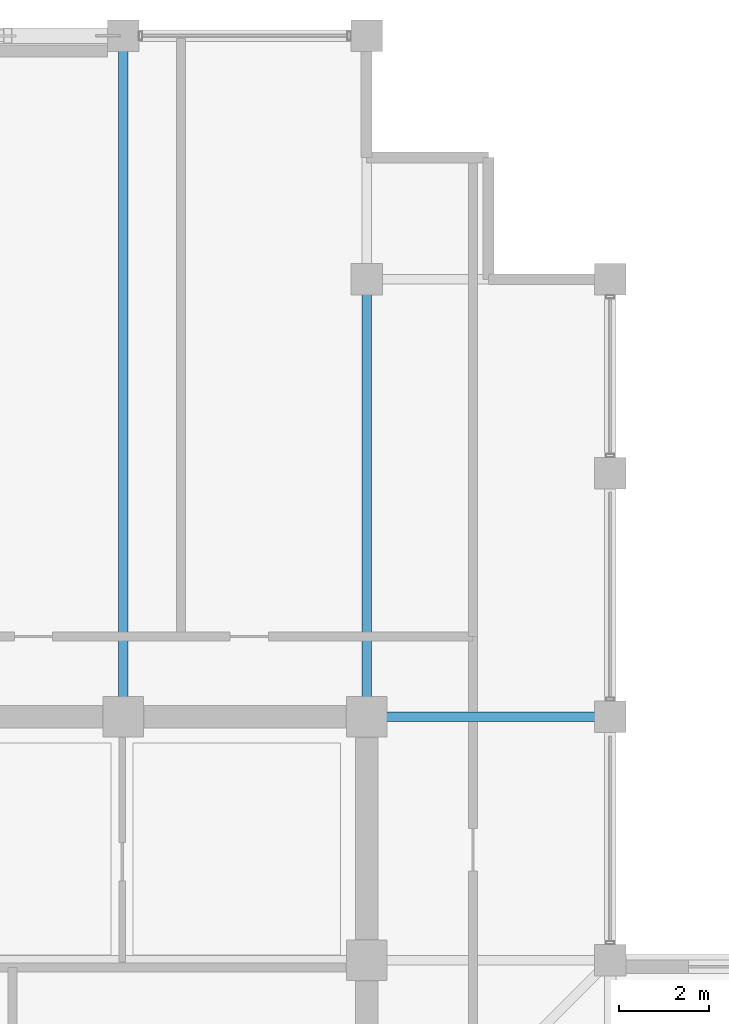
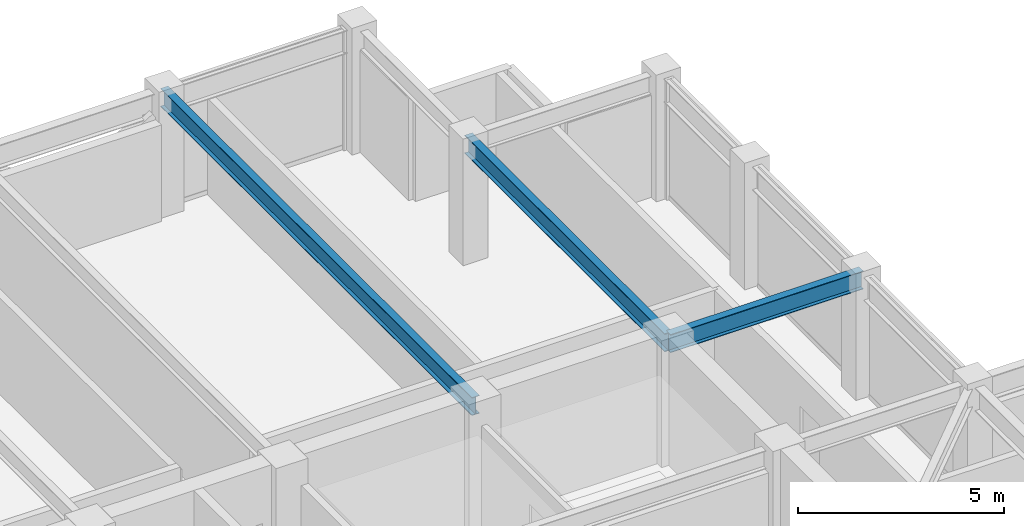
# One storey, part 18 of 30: 3 beams.
"""IFC4 building model written with IfcOpenShell, lengths in metres."""

from ifc_helpers import new_model, si_unit, direction, frame, origin, origin_2d, place, context, subcontext, project, spatial, i_section, extrude, material, material_profile, profile_set, type_object, element, save


model = new_model("IFC4")

# Units and contexts
model_context = context("Model", 3, precision=1e-05, world=origin(), true_north=direction((0.0, 1.0)))
body_context = subcontext(model_context, "Body", "Model", "MODEL_VIEW")
ifc_project = project(units=[si_unit("LENGTHUNIT", "METRE"), si_unit("AREAUNIT", "SQUARE_METRE"), si_unit("VOLUMEUNIT", "CUBIC_METRE"), si_unit("PLANEANGLEUNIT", "RADIAN"), si_unit("MASSUNIT", "GRAM", prefix="KILO")], contexts=[model_context])

# Site, building, storey
site_placement = place(None, origin())
site = spatial("IfcSite", under=ifc_project, at=site_placement, CompositionType="ELEMENT")
building_placement = place(site_placement, origin())
building = spatial("IfcBuilding", under=site, at=building_placement, Name="Surkhivell Harbour Commons", CompositionType="ELEMENT")
storey_placement = place(building_placement, frame((0.0, 0.0, 303.75)))
storey = spatial("IfcBuildingStorey", under=building, at=storey_placement, Name="L79", CompositionType="ELEMENT", Elevation=303.75)

# Beams
ifc_material = material(Name="Steel S355", Category="steel")
ifc_material_profile = material_profile(ifc_material, i_section(OverallWidth=0.2099609375, OverallDepth=0.537109375, WebThickness=0.0107421875, FlangeThickness=0.017333984375, at=origin_2d()), Name="UB533x210x101")
ifc_profile_set = profile_set([ifc_material_profile], Name="Steel S355")
beam_type = type_object("IfcBeamType", Name="BM-GRD-533B", PredefinedType="BEAM", material=ifc_profile_set)
beam_1_placement = place(storey_placement, frame((5.39990234375, 10.800048828125, 3.301513671875), z_axis=(0.0, 1.0, 0.0), x_axis=(-1.0, 0.0, 0.0)))
element("IfcBeam", 1, at=beam_1_placement, inside=storey, type_object=beam_type, Name="L79 Floor Girder (5.4,10.8)", PredefinedType="BEAM", context=body_context, shape_type="SweptSolid", body=[
    extrude(i_section(OverallWidth=0.2099609375, OverallDepth=0.537109375, WebThickness=0.0107421875, FlangeThickness=0.017333984375, at=origin_2d()), origin(), (0.0, 0.0, 1.0), 15.099853515625),
])
beam_2_placement = place(storey_placement, frame((10.800048828125, 10.800048828125, 3.301513671875), z_axis=(0.0, 1.0, 0.0), x_axis=(-1.0, 0.0, 0.0)))
element("IfcBeam", 2, at=beam_2_placement, inside=storey, type_object=beam_type, Name="L79 Floor Girder (10.8,10.8)", PredefinedType="BEAM", context=body_context, shape_type="SweptSolid", body=[
    extrude(i_section(OverallWidth=0.2099609375, OverallDepth=0.537109375, WebThickness=0.0107421875, FlangeThickness=0.017333984375, at=origin_2d()), origin(), (0.0, 0.0, 1.0), 9.699951171875),
])
beam_3_placement = place(storey_placement, frame((10.800048828125, 10.800048828125, 3.301513671875), z_axis=(1.0, 0.0, 0.0), x_axis=(0.0, 1.0, 0.0)))
element("IfcBeam", 3, at=beam_3_placement, inside=storey, type_object=beam_type, Name="L79 Floor Girder (10.8,10.8)", PredefinedType="BEAM", context=body_context, shape_type="SweptSolid", body=[
    extrude(i_section(OverallWidth=0.2099609375, OverallDepth=0.537109375, WebThickness=0.0107421875, FlangeThickness=0.017333984375, at=origin_2d()), origin(), (0.0, 0.0, 1.0), 5.39990234375),
])

save(model, "model.ifc")
